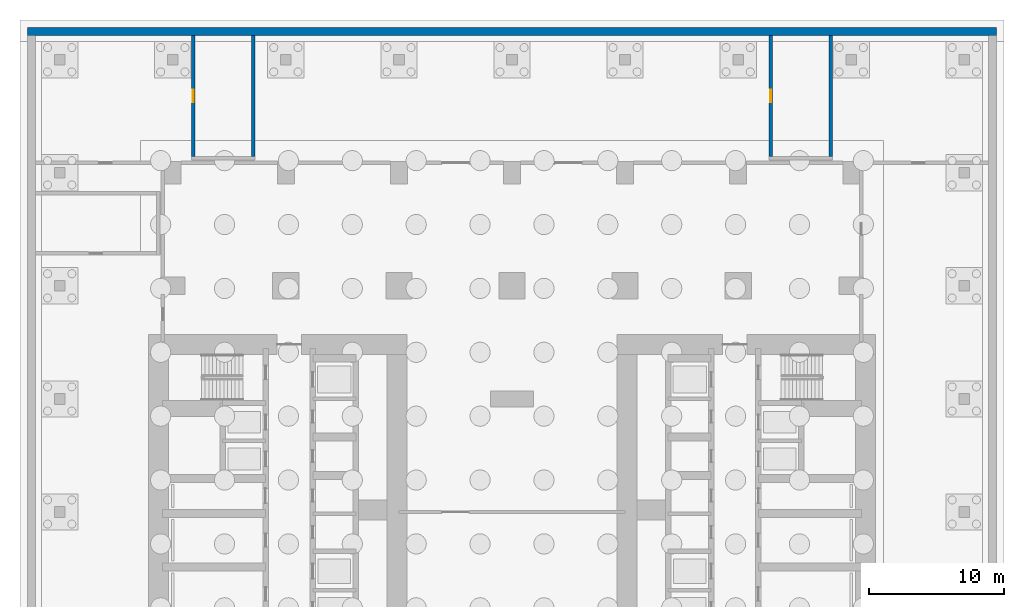
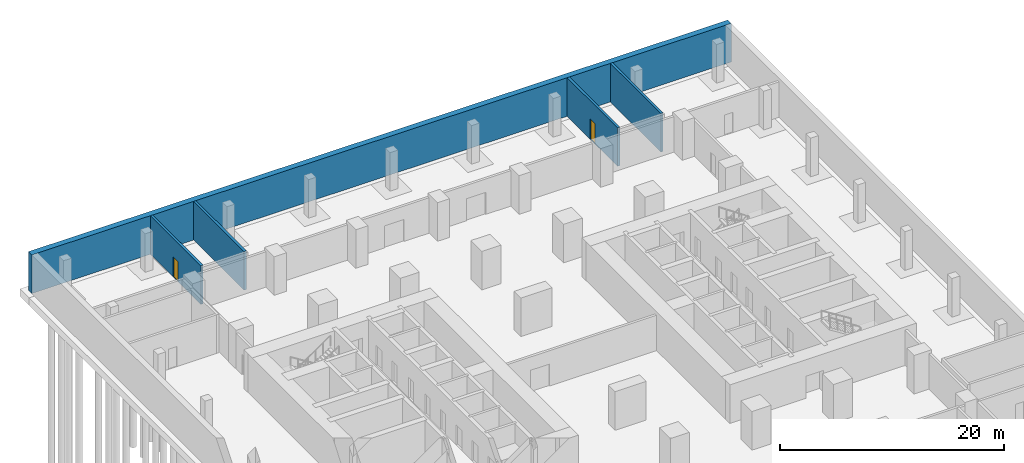
# One storey, part 8 of 11: 5 walls, 2 doors, 2 openings.
"""IFC4 building model written with IfcOpenShell, lengths in metres."""

from ifc_helpers import new_model, si_unit, direction, frame, frame_2d, origin, place, context, subcontext, project, spatial, rectangle, extrude, material, layer, layer_set, type_object, element, fill, save


model = new_model("IFC4")

# Units and contexts
model_context = context("Model", 3, precision=1e-05, world=origin(), true_north=direction((0.0, 1.0)))
body_context = subcontext(model_context, "Body", "Model", "MODEL_VIEW")
ifc_project = project(units=[si_unit("LENGTHUNIT", "METRE"), si_unit("AREAUNIT", "SQUARE_METRE"), si_unit("VOLUMEUNIT", "CUBIC_METRE"), si_unit("PLANEANGLEUNIT", "RADIAN"), si_unit("MASSUNIT", "GRAM", prefix="KILO")], contexts=[model_context])

# Site, building, storey
site_placement = place(None, origin())
site = spatial("IfcSite", under=ifc_project, at=site_placement, CompositionType="ELEMENT")
building_placement = place(site_placement, origin())
building = spatial("IfcBuilding", under=site, at=building_placement, Name="Claustro Exchange Tower", CompositionType="ELEMENT")
storey_placement = place(building_placement, frame((0.0, 0.0, -8.39990234375)))
storey = spatial("IfcBuildingStorey", under=building, at=storey_placement, Name="B2", CompositionType="ELEMENT", Elevation=-8.39990234375)

# Wall
ifc_material_1 = material(Name="Concrete HA-40 (C40/50)", Category="concrete")
ifc_layer_1 = layer(ifc_material_1, 0.60009765625)
ifc_layer_set_1 = layer_set([ifc_layer_1], Name="Concrete HA-40 (C40/50)")
wall_type_1 = type_object("IfcWallType", Name="RW1 600 basement retaining wall", PredefinedType="SOLIDWALL", material=ifc_layer_set_1)
wall_1_placement = place(storey_placement, frame((-10.800048828125, 60.89990234375, 0.0), z_axis=(0.0, 0.0, 1.0), x_axis=(1.0, 0.0, 0.0)))
element("IfcWall", 1, at=wall_1_placement, inside=storey, type_object=wall_type_1, Name="Retaining wall RW1 N B2", PredefinedType="SOLIDWALL", context=body_context, shape_type="SweptSolid", body=[
    extrude(rectangle(XDim=72.0, YDim=0.60009765625, at=frame_2d((36.0, 0.0))), origin(), (0.0, 0.0, 1.0), 4.199951171875),
])

# Wall, opening, door
ifc_material_2 = material(Name="Concrete HA-40 (C40/50)", Category="concrete")
ifc_layer_2 = layer(ifc_material_2, 0.25)
ifc_layer_set_2 = layer_set([ifc_layer_2], Name="Concrete HA-40 (C40/50)")
wall_type_2 = type_object("IfcWallType", Name="SW7 250 reinforced concrete stair wall", PredefinedType="SOLIDWALL", material=ifc_layer_set_2)
wall_2_placement = place(storey_placement, frame((1.52490234375, 60.60205078125, 0.0), z_axis=(0.0, 0.0, 1.0), x_axis=(0.0, -1.0, 0.0)))
wall_2 = element("IfcWall", 2, at=wall_2_placement, inside=storey, type_object=wall_type_2, Name="Stair enclosure wall STP3 SW7 B2", PredefinedType="SOLIDWALL", context=body_context, shape_type="SweptSolid", body=[
    extrude(rectangle(XDim=9.001953125, YDim=0.25, at=frame_2d((4.5009765625, 0.0))), origin(), (0.0, 0.0, 1.0), 4.199951171875),
])
opening_1_placement = place(wall_2_placement, frame((4.050048828125, 0.0, 0.0)))
opening_1 = element("IfcOpeningElement", 3, at=opening_1_placement, cuts=wall_2, Name="Opening D12", PredefinedType="OPENING", context=body_context, shape_type="SweptSolid", body=[
    extrude(rectangle(XDim=0.89990234375, YDim=2.199951171875, at=frame_2d((0.449951171875, 1.10009765625))), frame((0.0, 0.135009765625, 0.0), z_axis=(0.0, -1.0, 0.0), x_axis=(1.0, 0.0, 0.0)), (0.0, 0.0, 1.0), 0.27001953125),
])
ifc_material_3 = material(Name="Steel door, painted", Category="steel")
door_type = type_object("IfcDoorType", Name="D12 900 x 2200 plant and store room door", OperationType="SINGLE_SWING_LEFT", PredefinedType="DOOR", material=ifc_material_3)
door_1_placement = place(opening_1_placement, origin())
door_1 = element("IfcDoor", 4, at=door_1_placement, inside=storey, type_object=door_type, Name="Store door STP3 D12 B2", OperationType="SINGLE_SWING_LEFT", OverallHeight=2.199951171875, OverallWidth=0.89990234375, PredefinedType="DOOR", context=body_context, shape_type="SweptSolid", body=[
    extrude(rectangle(XDim=0.89990234375, YDim=2.199951171875, at=frame_2d((0.449951171875, 1.10009765625))), frame((0.0, 0.02490234375, 0.0), z_axis=(0.0, -1.0, 0.0), x_axis=(1.0, 0.0, 0.0)), (0.0, 0.0, 1.0), 0.050048828125),
])
fill(opening_1, door_1)

# Wall
wall_3_placement = place(storey_placement, frame((5.97509765625, 60.60205078125, 0.0), z_axis=(0.0, 0.0, 1.0), x_axis=(0.0, -1.0, 0.0)))
element("IfcWall", 5, at=wall_3_placement, inside=storey, type_object=wall_type_2, Name="Stair enclosure wall STP3 SW7 B2", PredefinedType="SOLIDWALL", context=body_context, shape_type="SweptSolid", body=[
    extrude(rectangle(XDim=9.001953125, YDim=0.25, at=frame_2d((4.5009765625, 0.0))), origin(), (0.0, 0.0, 1.0), 4.199951171875),
])

# Wall, opening, door
wall_4_placement = place(storey_placement, frame((44.425048828125, 60.60205078125, 0.0), z_axis=(0.0, 0.0, 1.0), x_axis=(0.0, -1.0, 0.0)))
wall_4 = element("IfcWall", 6, at=wall_4_placement, inside=storey, type_object=wall_type_2, Name="Stair enclosure wall STP4 SW7 B2", PredefinedType="SOLIDWALL", context=body_context, shape_type="SweptSolid", body=[
    extrude(rectangle(XDim=9.001953125, YDim=0.25, at=frame_2d((4.5009765625, 0.0))), origin(), (0.0, 0.0, 1.0), 4.199951171875),
])
opening_2_placement = place(wall_4_placement, frame((4.050048828125, 0.0, 0.0)))
opening_2 = element("IfcOpeningElement", 7, at=opening_2_placement, cuts=wall_4, Name="Opening D12", PredefinedType="OPENING", context=body_context, shape_type="SweptSolid", body=[
    extrude(rectangle(XDim=0.89990234375, YDim=2.199951171875, at=frame_2d((0.449951171875, 1.10009765625))), frame((0.0, 0.135009765625, 0.0), z_axis=(0.0, -1.0, 0.0), x_axis=(1.0, 0.0, 0.0)), (0.0, 0.0, 1.0), 0.27001953125),
])
door_2_placement = place(opening_2_placement, origin())
door_2 = element("IfcDoor", 8, at=door_2_placement, inside=storey, type_object=door_type, Name="Store door STP4 D12 B2", OperationType="SINGLE_SWING_LEFT", OverallHeight=2.199951171875, OverallWidth=0.89990234375, PredefinedType="DOOR", context=body_context, shape_type="SweptSolid", body=[
    extrude(rectangle(XDim=0.89990234375, YDim=2.199951171875, at=frame_2d((0.449951171875, 1.10009765625))), frame((0.0, 0.02490234375, 0.0), z_axis=(0.0, -1.0, 0.0), x_axis=(1.0, 0.0, 0.0)), (0.0, 0.0, 1.0), 0.050048828125),
])
fill(opening_2, door_2)

# Wall
wall_5_placement = place(storey_placement, frame((48.875, 60.60205078125, 0.0), z_axis=(0.0, 0.0, 1.0), x_axis=(0.0, -1.0, 0.0)))
element("IfcWall", 9, at=wall_5_placement, inside=storey, type_object=wall_type_2, Name="Stair enclosure wall STP4 SW7 B2", PredefinedType="SOLIDWALL", context=body_context, shape_type="SweptSolid", body=[
    extrude(rectangle(XDim=9.001953125, YDim=0.25, at=frame_2d((4.5009765625, 0.0))), origin(), (0.0, 0.0, 1.0), 4.199951171875),
])

save(model, "model.ifc")
